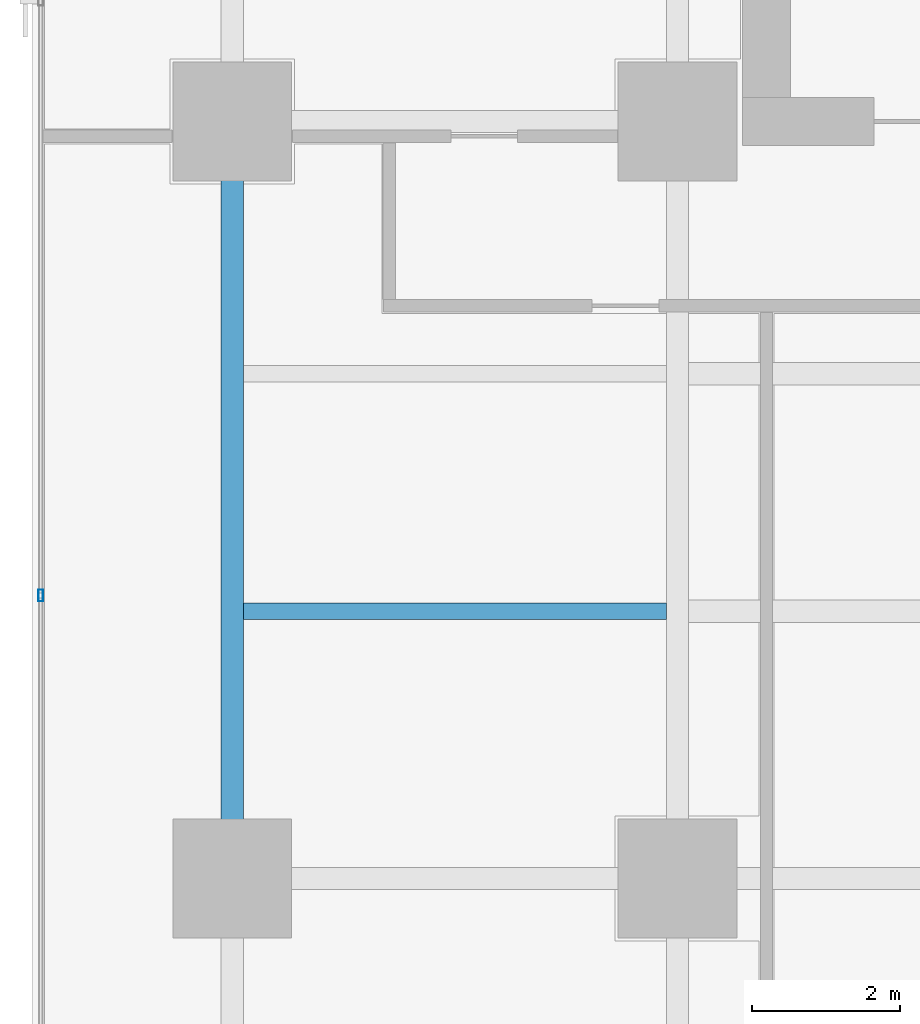
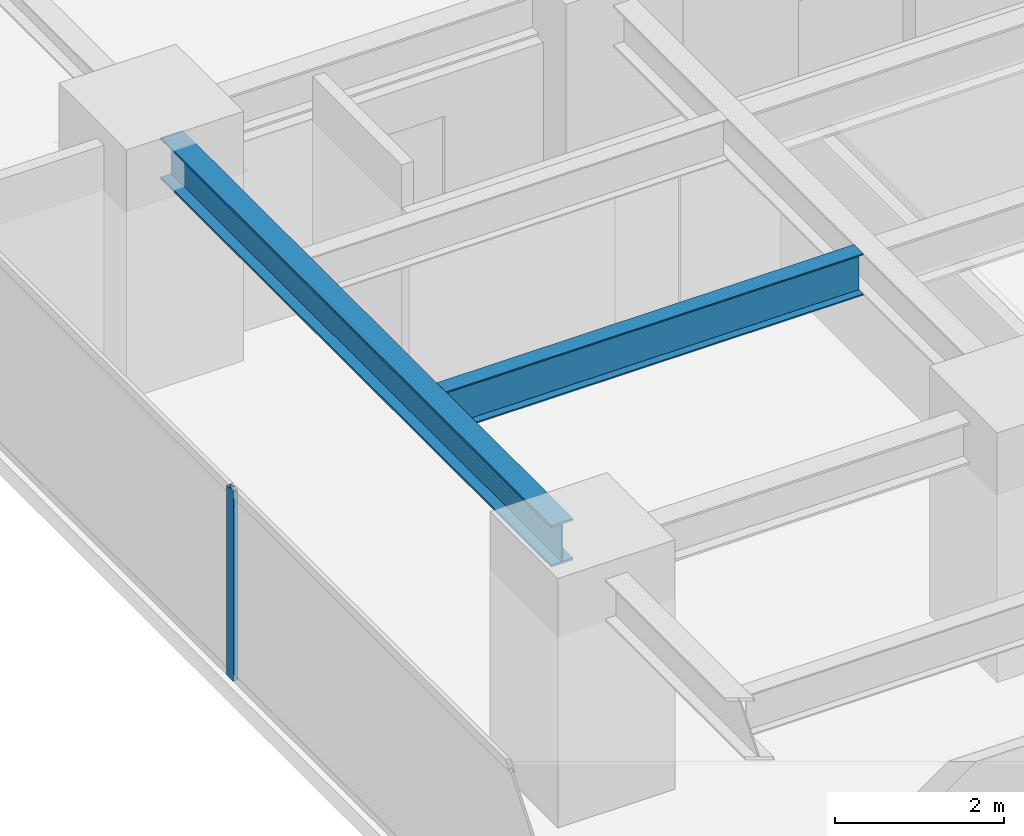
# One storey, part 10 of 34: 2 beams, 1 member, 1 element without a shape of its own.
"""IFC4 building model written with IfcOpenShell, lengths in metres."""

import ifcopenshell
import ifcopenshell.guid

model = None  # the IFC model being written
_history = None  # IfcOwnerHistory: only IFC2X3 demands one
_inside = {}  # id of a spatial element -> (the spatial element, [elements in it])
_under = {}  # id of a project, library or spatial element -> (it, [spatial elements below it])
_declared = {}  # id of a project -> (the project, [libraries it declares])
_typed = {}  # id of a type object -> (the type object, [elements of that type])
_made_of = {}  # id of a material, layer set ... -> (it, [elements and type objects made of it])


def new_model(schema):
    """Start an empty IFC model of exactly this schema.

    Asked for "IFC4X3", IfcOpenShell would pick the latest addendum, in which some entities
    have other attributes; the version numbers below select the first issue.
    IFC2X3 requires an IfcOwnerHistory on every rooted entity: one is made here for all.
    """
    global model, _history
    if schema == "IFC4X3":
        model = ifcopenshell.file(schema_version=(4, 3, 0, 0))
    else:
        model = ifcopenshell.file(schema=schema)
    _inside.clear()
    _under.clear()
    _declared.clear()
    _typed.clear()
    _made_of.clear()
    _history = None
    if model.schema == "IFC2X3":
        org = make("IfcOrganization", Name="unknown")
        user = make(
            "IfcPersonAndOrganization",
            ThePerson=make("IfcPerson", FamilyName="unknown"),
            TheOrganization=org,
        )
        app = make(
            "IfcApplication",
            ApplicationDeveloper=org,
            Version="unknown",
            ApplicationFullName="unknown",
            ApplicationIdentifier="unknown",
        )
        _history = make(
            "IfcOwnerHistory",
            OwningUser=user,
            OwningApplication=app,
            ChangeAction="ADDED",
            CreationDate=0,
        )
    return model


def make(cls, **values):
    """One entity of the class cls with the attributes given. An attribute that is None is left unset."""
    return model.create_entity(
        cls, **{name: value for name, value in values.items() if value is not None}
    )


def rooted(cls, **values):
    """An entity with a GlobalId (a new one), such as an element, a storey or a relation."""
    return make(cls, GlobalId=ifcopenshell.guid.new(), OwnerHistory=_history, **values)


def si_unit(unit_type, name, prefix=None):
    """IfcSIUnit, for example si_unit("LENGTHUNIT", "METRE", prefix="MILLI")."""
    return make("IfcSIUnit", UnitType=unit_type, Prefix=prefix, Name=name)


def assignment(units):
    """IfcUnitAssignment: the units of a project."""
    return None if units is None else make("IfcUnitAssignment", Units=units)


def point(xyz):
    """IfcCartesianPoint."""
    return None if xyz is None else make("IfcCartesianPoint", Coordinates=xyz)


def direction(xyz):
    """IfcDirection."""
    return None if xyz is None else make("IfcDirection", DirectionRatios=xyz)


def frame(location, z_axis=None, x_axis=None):
    """IfcAxis2Placement3D, a coordinate frame: its origin and axes. An axis left out is left unset."""
    return make(
        "IfcAxis2Placement3D",
        Location=point(location),
        Axis=direction(z_axis),
        RefDirection=direction(x_axis),
    )


def frame_2d(location, x_axis=None):
    """IfcAxis2Placement2D, a coordinate frame in the plane: its origin and x axis."""
    return make(
        "IfcAxis2Placement2D", Location=point(location), RefDirection=direction(x_axis)
    )


def origin():
    """The frame at (0, 0, 0) with its axes left unset."""
    return frame((0.0, 0.0, 0.0))


def origin_2d():
    """The frame at (0, 0) in the plane with its x axis left unset."""
    return frame_2d((0.0, 0.0))


def place(relative_to, where):
    """IfcLocalPlacement: puts the frame where relative to a parent placement (None: the world)."""
    return make(
        "IfcLocalPlacement", PlacementRelTo=relative_to, RelativePlacement=where
    )


def context(
    kind, dimensions, precision=None, world=None, true_north=None, identifier=None
):
    """IfcGeometricRepresentationContext, for example the 3D "Model" context."""
    return make(
        "IfcGeometricRepresentationContext",
        ContextIdentifier=identifier,
        ContextType=kind,
        CoordinateSpaceDimension=dimensions,
        Precision=precision,
        WorldCoordinateSystem=world,
        TrueNorth=true_north,
    )


def subcontext(parent, identifier, kind, view, scale=None):
    """IfcGeometricRepresentationSubContext, for example "Body" below "Model"."""
    return make(
        "IfcGeometricRepresentationSubContext",
        ContextIdentifier=identifier,
        ContextType=kind,
        ParentContext=parent,
        TargetScale=scale,
        TargetView=view,
    )


def project(units=None, contexts=None):
    """IfcProject with its units and contexts."""
    return rooted(
        "IfcProject",
        Name="project",
        RepresentationContexts=contexts,
        UnitsInContext=assignment(units),
    )


def spatial(cls, under=None, at=None, **own):
    """A site, building, storey or space (cls), placed at a placement, below another one or the project."""
    s = rooted(cls, ObjectPlacement=at, **own)
    if under is not None:
        _under.setdefault(under.id(), (under, []))[1].append(s)
    return s


def profile(cls, at=None, kind="AREA", **sizes):
    """A parametric profile (cls). Its sizes go by their IFC names, for example OverallWidth=200.0."""
    return make(cls, ProfileType=kind, Position=at, **sizes)


def hollow_rectangle(**sizes):
    """IfcRectangleHollowProfileDef."""
    return profile("IfcRectangleHollowProfileDef", **sizes)


def i_section(**sizes):
    """IfcIShapeProfileDef."""
    return profile("IfcIShapeProfileDef", **sizes)


def extrude(swept, where, along, depth):
    """IfcExtrudedAreaSolid: the profile swept, set in the frame where, extruded along a direction by depth."""
    return make(
        "IfcExtrudedAreaSolid",
        SweptArea=swept,
        Position=where,
        ExtrudedDirection=direction(along),
        Depth=depth,
    )


def shape(context_of_items, identifier, shape_type, items):
    """IfcShapeRepresentation: the items that make up one representation, for example the "Body"."""
    return make(
        "IfcShapeRepresentation",
        ContextOfItems=context_of_items,
        RepresentationIdentifier=identifier,
        RepresentationType=shape_type,
        Items=items,
    )


def source(mapping_origin, context_of_items, identifier, shape_type, items):
    """IfcRepresentationMap: a shape defined once, which mapped items show again and again."""
    return make(
        "IfcRepresentationMap",
        MappingOrigin=mapping_origin,
        MappedRepresentation=shape(context_of_items, identifier, shape_type, items),
    )


def transform(
    local_origin,
    x_axis=None,
    y_axis=None,
    z_axis=None,
    scale=None,
    scale2=None,
    scale3=None,
    uniform=True,
):
    """IfcCartesianTransformationOperator3D, or its non-uniform kind. x_axis, y_axis, z_axis: its Axis1, 2, 3."""
    if uniform:
        return make(
            "IfcCartesianTransformationOperator3D",
            Axis1=direction(x_axis),
            Axis2=direction(y_axis),
            LocalOrigin=point(local_origin),
            Scale=scale,
            Axis3=direction(z_axis),
        )
    return make(
        "IfcCartesianTransformationOperator3DnonUniform",
        Axis1=direction(x_axis),
        Axis2=direction(y_axis),
        LocalOrigin=point(local_origin),
        Scale=scale,
        Axis3=direction(z_axis),
        Scale2=scale2,
        Scale3=scale3,
    )


def mapped(mapping_source, mapping_target):
    """IfcMappedItem: shows the shape of a source again, moved by a transform."""
    return make(
        "IfcMappedItem", MappingSource=mapping_source, MappingTarget=mapping_target
    )


def material(Name=None, Category=None):
    """IfcMaterial."""
    return make("IfcMaterial", Name=Name, Category=Category)


def layer(
    of_material, thickness, ventilated=None, Name=None, Category=None, Priority=None
):
    """IfcMaterialLayer: one layer of a wall or slab, of a material (None: an air gap)."""
    return make(
        "IfcMaterialLayer",
        Material=of_material,
        LayerThickness=thickness,
        IsVentilated=ventilated,
        Name=Name,
        Category=Category,
        Priority=Priority,
    )


def layer_set(layers, Name=None):
    """IfcMaterialLayerSet."""
    return make("IfcMaterialLayerSet", MaterialLayers=layers, LayerSetName=Name)


def material_profile(
    of_material, cross_section, Name=None, Category=None, Priority=None
):
    """IfcMaterialProfile: a cross section and its material."""
    return make(
        "IfcMaterialProfile",
        Name=Name,
        Material=of_material,
        Profile=cross_section,
        Priority=Priority,
        Category=Category,
    )


def profile_set(profiles, Name=None, composite=None):
    """IfcMaterialProfileSet."""
    return make(
        "IfcMaterialProfileSet",
        Name=Name,
        MaterialProfiles=profiles,
        CompositeProfile=composite,
    )


def made_of(thing, what):
    """Note that an element or type object is made of a material, layer set ...; save() writes the relation."""
    if what is not None:
        _made_of.setdefault(what.id(), (what, []))[1].append(thing)
    return thing


def type_object(cls, material=None, **own):
    """A type object (cls), such as IfcWallType, which elements share."""
    return made_of(rooted(cls, **own), material)


def element(
    cls,
    number,
    at=None,
    inside=None,
    cuts=None,
    type_object=None,
    material=None,
    context=None,
    identifier="Body",
    shape_type=None,
    held_by="IfcProductDefinitionShape",
    body=None,
    shapes=None,
    **own,
):
    """One element of the class cls, such as IfcWall. Its Tag is "e" and its number.

    at: its placement. inside: the storey or other place that contains it. cuts: it is an
    opening in that element (IfcRelVoidsElement). A single representation is given by context,
    identifier, shape_type and body (its items); several are given by shapes. held_by: the class
    of the entity that holds the representations. save() writes the other relations.
    """
    e = rooted(cls, Tag="e%d" % number, ObjectPlacement=at, **own)
    if body is not None:
        shapes = [shape(context, identifier, shape_type, body)]
    if shapes is not None:
        e.Representation = make(held_by, Representations=shapes)
    if inside is not None:
        _inside.setdefault(inside.id(), (inside, []))[1].append(e)
    if cuts is not None:
        rooted(
            "IfcRelVoidsElement", RelatingBuildingElement=cuts, RelatedOpeningElement=e
        )
    if type_object is not None:
        _typed.setdefault(type_object.id(), (type_object, []))[1].append(e)
    return made_of(e, material)


def aggregate(whole, parts):
    """IfcRelAggregates: a whole, such as a stair, and the parts it consists of."""
    return rooted("IfcRelAggregates", RelatingObject=whole, RelatedObjects=parts)


def save(model, path):
    """Write the relations noted so far, then the file.

    IfcRelAggregates (storeys below a building ...), IfcRelContainedInSpatialStructure (elements
    in a storey), IfcRelDefinesByType, IfcRelAssociatesMaterial and IfcRelDeclares: one each for
    every whole, place, type object, material and project.
    """
    for whole, parts in _under.values():
        aggregate(whole, parts)
    for where, things in _inside.values():
        rooted(
            "IfcRelContainedInSpatialStructure",
            RelatedElements=things,
            RelatingStructure=where,
        )
    for kind, things in _typed.values():
        rooted("IfcRelDefinesByType", RelatedObjects=things, RelatingType=kind)
    for what, things in _made_of.values():
        rooted("IfcRelAssociatesMaterial", RelatedObjects=things, RelatingMaterial=what)
    for by, libraries in _declared.values():
        rooted("IfcRelDeclares", RelatingContext=by, RelatedDefinitions=libraries)
    model.write(path)


model = new_model("IFC4")

# Units and contexts
model_context = context("Model", 3, precision=1e-05, world=origin(), true_north=direction((0.0, 1.0)))
body_context = subcontext(model_context, "Body", "Model", "MODEL_VIEW")
ifc_project = project(units=[si_unit("LENGTHUNIT", "METRE"), si_unit("AREAUNIT", "SQUARE_METRE"), si_unit("VOLUMEUNIT", "CUBIC_METRE"), si_unit("PLANEANGLEUNIT", "RADIAN"), si_unit("MASSUNIT", "GRAM", prefix="KILO")], contexts=[model_context])

# Site, building, storey
site_placement = place(None, origin())
site = spatial("IfcSite", under=ifc_project, at=site_placement, CompositionType="ELEMENT")
building_placement = place(site_placement, origin())
building = spatial("IfcBuilding", under=site, at=building_placement, Name="Sumidabori Civic Tower", CompositionType="ELEMENT")
storey_placement = place(building_placement, frame((0.0, 0.0, 106.39990234375)))
storey = spatial("IfcBuildingStorey", under=building, at=storey_placement, Name="L27", CompositionType="ELEMENT", Elevation=106.39990234375)

# Beams
ifc_material_1 = material(Name="Steel SN490", Category="steel")
ifc_material_profile_1 = material_profile(ifc_material_1, i_section(OverallWidth=0.300048828125, OverallDepth=0.60009765625, WebThickness=0.015380859375, FlangeThickness=0.030029296875, at=origin_2d()), Name="HE 600 B")
ifc_profile_set_1 = profile_set([ifc_material_profile_1], Name="Steel SN490")
beam_type_1 = type_object("IfcBeamType", Name="BM-GIRD-600", PredefinedType="BEAM", material=ifc_profile_set_1)
shared_shape_1 = source(origin(), body_context, "Body", "SweptSolid", [
    extrude(i_section(OverallWidth=0.300048828125, OverallDepth=0.60009765625, WebThickness=0.015380859375, FlangeThickness=0.030029296875, at=origin_2d()), origin(), (0.0, 0.0, 1.0), 9.239990234375),
])
beam_1_placement = place(storey_placement, frame((-22.800048828125, 0.47998046875, 3.06005859375), z_axis=(0.0, 1.0, 0.0), x_axis=(-1.0, 0.0, 0.0)))
element("IfcBeam", 1, at=beam_1_placement, inside=storey, type_object=beam_type_1, Name="Primary Girder L27 GY-23", PredefinedType="BEAM", context=body_context, shape_type="MappedRepresentation", body=[
    mapped(shared_shape_1, transform((0.0, 0.0, 0.0), x_axis=(1.0, 0.0, 0.0), y_axis=(0.0, 1.0, 0.0), z_axis=(0.0, 0.0, 1.0), scale=1.0)),
])
ifc_material_profile_2 = material_profile(ifc_material_1, i_section(OverallWidth=0.219970703125, OverallDepth=0.60009765625, WebThickness=0.011962890625, FlangeThickness=0.01904296875, at=origin_2d()), Name="IPE 600")
ifc_profile_set_2 = profile_set([ifc_material_profile_2], Name="Steel SN490")
beam_type_2 = type_object("IfcBeamType", Name="BM-JST-600", PredefinedType="JOIST", material=ifc_profile_set_2)
shared_shape_2 = source(origin(), body_context, "Body", "SweptSolid", [
    extrude(i_section(OverallWidth=0.219970703125, OverallDepth=0.60009765625, WebThickness=0.011962890625, FlangeThickness=0.01904296875, at=origin_2d()), origin(), (0.0, 0.0, 1.0), 5.699951171875),
])
beam_2_placement = place(storey_placement, frame((-22.64990234375, 3.60009765625, 3.06005859375), z_axis=(1.0, 0.0, 0.0), x_axis=(0.0, 1.0, 0.0)))
element("IfcBeam", 2, at=beam_2_placement, inside=storey, type_object=beam_type_2, Name="Outer Bay Floor Joist L27 JSTO-47", PredefinedType="JOIST", context=body_context, shape_type="MappedRepresentation", body=[
    mapped(shared_shape_2, transform((0.0, 0.0, 0.0), x_axis=(1.0, 0.0, 0.0), y_axis=(0.0, 1.0, 0.0), z_axis=(0.0, 0.0, 1.0), scale=1.0)),
])

# Curtain wall, member
ifc_material_2 = material(Name="Anodised Bronze Aluminium AW-6063-T6", Category="aluminium")
ifc_layer = layer(ifc_material_2, 0.179931640625, Name="Anodised Bronze Aluminium AW-6063-T6")
ifc_layer_set = layer_set([ifc_layer], Name="Anodised Bronze Aluminium AW-6063-T6")
curtain_wall_type = type_object("IfcCurtainWallType", Name="CW-SYS-3", PredefinedType="NOTDEFINED", material=ifc_layer_set)
curtain_wall_placement = place(storey_placement, origin())
curtain_wall = element("IfcCurtainWall", 3, at=curtain_wall_placement, inside=storey, type_object=curtain_wall_type, Name="Curtain Wall CW:L27:R10", PredefinedType="NOTDEFINED")
ifc_material_profile_3 = material_profile(ifc_material_2, hollow_rectangle(XDim=0.06494140625, YDim=0.159912109375, WallThickness=0.0048828125, at=origin_2d()), Name="ALU MULLION 160x65")
ifc_profile_set_3 = profile_set([ifc_material_profile_3], Name="Anodised Bronze Aluminium AW-6063-T6")
member_type = type_object("IfcMemberType", Name="CW-MUL-160", PredefinedType="MULLION", material=ifc_profile_set_3)
shared_shape_3 = source(origin(), body_context, "Body", "SweptSolid", [
    extrude(hollow_rectangle(XDim=0.06494140625, YDim=0.159912109375, WallThickness=0.0048828125, at=origin_2d()), origin(), (0.0, 0.0, 1.0), 2.739990234375),
])
member_placement = place(storey_placement, frame((-25.3798828125, 3.81396484375, 0.0), z_axis=(0.0, 0.0, 1.0), x_axis=(1.0, 0.0, 0.0)))
member = element("IfcMember", 4, at=member_placement, type_object=member_type, Name="CW-3 mullion 3", PredefinedType="MULLION", context=body_context, shape_type="MappedRepresentation", body=[
    mapped(shared_shape_3, transform((0.0, 0.0, 0.0), x_axis=(1.0, 0.0, 0.0), y_axis=(0.0, 1.0, 0.0), z_axis=(0.0, 0.0, 1.0), scale=1.0)),
])
aggregate(curtain_wall, [member])

save(model, "model.ifc")
